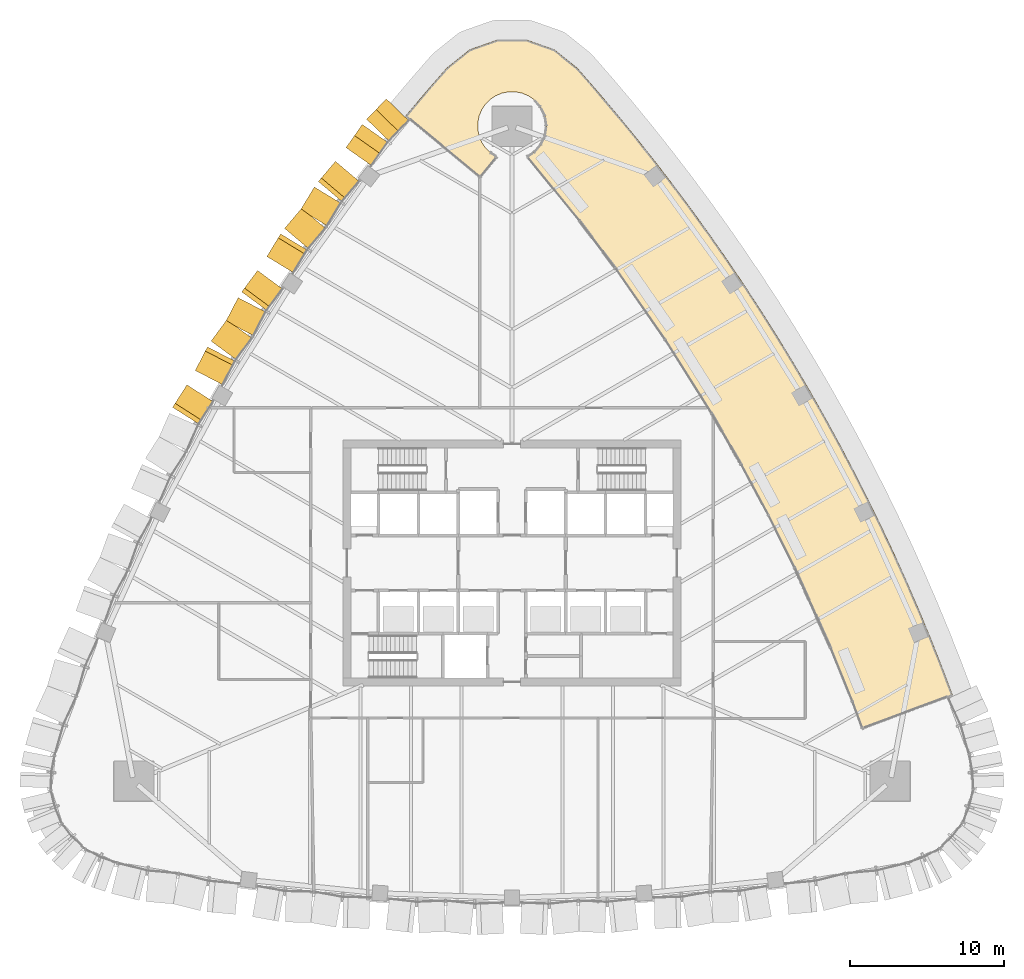
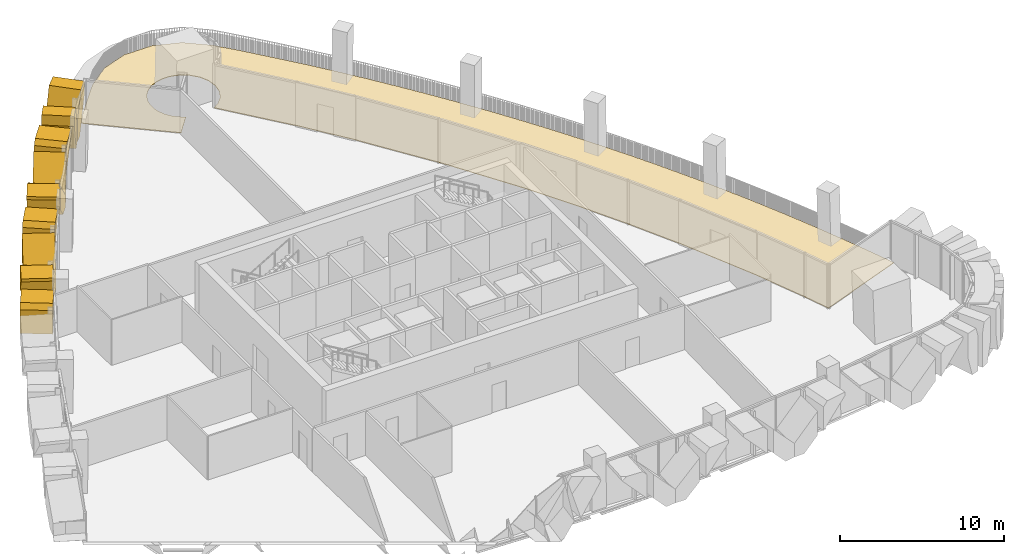
# One storey, part 20 of 22: 12 coverings.
"""IFC4 building model written with IfcOpenShell, lengths in metres."""

from ifc_helpers import new_model, si_unit, direction, frame, origin, place, context, subcontext, project, spatial, polyline, outline, extrude, material, layer, layer_set, type_object, element, save


model = new_model("IFC4")

# Units and contexts
model_context = context("Model", 3, precision=1e-05, world=origin(), true_north=direction((0.0, 1.0)))
body_context = subcontext(model_context, "Body", "Model", "MODEL_VIEW")
ifc_project = project(units=[si_unit("LENGTHUNIT", "METRE"), si_unit("AREAUNIT", "SQUARE_METRE"), si_unit("VOLUMEUNIT", "CUBIC_METRE"), si_unit("PLANEANGLEUNIT", "RADIAN"), si_unit("MASSUNIT", "GRAM", prefix="KILO")], contexts=[model_context])

# Site, building, storey
site_placement = place(None, origin())
site = spatial("IfcSite", under=ifc_project, at=site_placement, CompositionType="ELEMENT")
building_placement = place(site_placement, origin())
building = spatial("IfcBuilding", under=site, at=building_placement, Name="Sierra Prisma Convention Tower", CompositionType="ELEMENT")
storey_placement = place(building_placement, frame((0.0, 0.0, 141.800048828125)))
storey = spatial("IfcBuildingStorey", under=building, at=storey_placement, Name="L30", CompositionType="ELEMENT", Elevation=141.800048828125)

# Coverings
ifc_material_1 = material(Name="Aluminium 6063-T6 bronze anodised", Category="aluminium")
ifc_layer_1 = layer(ifc_material_1, 2.0)
ifc_layer_set_1 = layer_set([ifc_layer_1], Name="Bronze crystal chevron frame")
covering_type_1 = type_object("IfcCoveringType", Name="Bronze crystal chevron frame", PredefinedType="CLADDING", material=ifc_layer_set_1)
covering_1_placement = place(storey_placement, frame((-8.1845703125, 30.223876953125, 3.280029296875), z_axis=(-0.718080242501, 0.69596031877, 5.213964e-06), x_axis=(-3.744044e-06, 3.628712e-06, -0.999999999986)))
element("IfcCovering", 1, at=covering_1_placement, inside=storey, type_object=covering_type_1, Name="CW-2 chevron frame NW1b.1.1", PredefinedType="CLADDING", context=body_context, shape_type="SweptSolid", body=[
    extrude(outline(polyline([(0.0, 0.0), (0.7602539062396662, 0.0), (3.280029297200351, 1.2406949346789349), (3.28002929693376, 1.8444689140047799), (1.7897949219540166, 1.8444689140047799), (2.4537560228528877e-10, 0.9632393462894382), (0.0, 0.0)])), origin(), (0.0, 0.0, -1.0), 2.0),
])
covering_2_placement = place(storey_placement, frame((-9.7509765625, 28.557861328125, 0.0), z_axis=(-0.818061138257, 0.575131265595, 3.7526587e-05), x_axis=(-0.575131266, -0.818061138833, -9.262e-09)))
element("IfcCovering", 2, at=covering_2_placement, inside=storey, type_object=covering_type_1, Name="CW-2 chevron frame NW1b.1.2", PredefinedType="CLADDING", context=body_context, shape_type="SweptSolid", body=[
    extrude(outline(polyline([(0.0, 0.0), (0.6038450867621504, -3.3881317890172014e-21), (1.8445754771254539, 2.5197754096979694), (1.8445754700840065, 3.2800293154126576), (0.8812761051650867, 3.2800293033481003), (-1.3802503356311932e-08, 1.4902343739506927), (0.0, 0.0)])), origin(), (0.0, 0.0, -1.0), 2.0),
])
covering_3_placement = place(storey_placement, frame((-11.497802734375, 26.158447265625, 3.280029296875), z_axis=(-0.763061386419, 0.646326016892, 2.1095039e-05), x_axis=(-1.609681e-05, 1.3634272e-05, -0.999999999777)))
element("IfcCovering", 3, at=covering_3_placement, inside=storey, type_object=covering_type_1, Name="CW-2 chevron frame NW2.1.1", PredefinedType="CLADDING", context=body_context, shape_type="SweptSolid", body=[
    extrude(outline(polyline([(0.0, 0.0), (0.2285156249491552, 0.0), (2.093261718429504, 1.7254900643779991), (0.3264160156976277, 1.7254900643779991), (-8.879371233288814e-10, 1.4237367989569227), (0.0, 0.0)])), origin(), (0.0, 0.0, -1.0), 2.0),
])
covering_4_placement = place(storey_placement, frame((-12.872314453125, 24.48193359375, 2.813232421875), z_axis=(-0.854756361147, 0.519029441039, -4.9129668e-05), x_axis=(4.1993897e-05, -2.5499744e-05, -0.999999998793)))
element("IfcCovering", 4, at=covering_4_placement, inside=storey, type_object=covering_type_1, Name="CW-2 chevron frame NW2.1.2", PredefinedType="CLADDING", context=body_context, shape_type="SweptSolid", body=[
    extrude(outline(polyline([(0.0, 0.0), (1.7670898416173662, 5.987133273658814e-21), (2.813232427558979, 0.9678742365547917), (2.813232421004916, 1.7254353456905718), (1.8649902346493135, 1.7254353456905718), (0.0, 0.0)])), origin(), (0.0, 0.0, -1.0), 2.0),
])
covering_5_placement = place(storey_placement, frame((-13.695068359375, 23.10791015625, 0.0), z_axis=(-0.76312665938, 0.646248946803, -2.2347956e-05), x_axis=(-0.646248946964, -0.763126659571, -1.79e-09)))
element("IfcCovering", 5, at=covering_5_placement, inside=storey, type_object=covering_type_1, Name="CW-2 chevron frame NW2.2.1", PredefinedType="CLADDING", context=body_context, shape_type="SweptSolid", body=[
    extrude(outline(polyline([(0.0, 0.0), (0.7575227218083096, 0.0), (1.7256763632290628, 1.0461425814755536), (1.7256763600656086, 2.8132324247842835), (-1.6975484815345636e-09, 0.9482421872632091), (0.0, 0.0)])), origin(), (0.0, 0.0, -1.0), 2.0),
])
covering_6_placement = place(storey_placement, frame((-15.965087890625, 19.95654296875, 3.280029296875), z_axis=(-0.854764638741, 0.519015806125, 7.3141287e-05), x_axis=(0.519015807514, 0.854764641027, 7.498e-09)))
element("IfcCovering", 6, at=covering_6_placement, inside=storey, type_object=covering_type_1, Name="CW-2 chevron frame NW2.2.2", PredefinedType="CLADDING", context=body_context, shape_type="SweptSolid", body=[
    extrude(outline(polyline([(0.0, 0.0), (1.4236347217346488, -6.776263578034403e-21), (1.7254353438434082, 0.32641602943550135), (1.7254353305955155, 2.0932617278345007), (-1.7134209730623891e-09, 0.22851562438876097), (0.0, 0.0)])), origin(), (0.0, 0.0, -1.0), 2.0),
])
covering_7_placement = place(storey_placement, frame((-16.57275390625, 19.04931640625, 3.280029296875), z_axis=(-0.804673377972, 0.593717739993, -1.52148e-07), x_axis=(1.22429e-07, -9.0333e-08, -1.0)))
element("IfcCovering", 7, at=covering_7_placement, inside=storey, type_object=covering_type_1, Name="CW-2 chevron frame NW3.1.1", PredefinedType="CLADDING", context=body_context, shape_type="SweptSolid", body=[
    extrude(outline(polyline([(0.0, 0.0), (0.2260742187499974, 0.0), (2.0915527343749836, 1.7336468929553486), (0.32861328125000383, 1.7336468929553486), (-4.604363942342126e-14, 1.4281199465605576), (0.0, 0.0)])), origin(), (0.0, 0.0, -1.0), 2.0),
])
covering_8_placement = place(storey_placement, frame((-17.83642578125, 17.278076171875, 2.8115234375), z_axis=(-0.887650094338, 0.460518522934, -7.553334e-06), x_axis=(6.704718e-06, -3.47845e-06, -0.999999999971)))
element("IfcCovering", 8, at=covering_8_placement, inside=storey, type_object=covering_type_1, Name="CW-2 chevron frame NW3.1.2", PredefinedType="CLADDING", context=body_context, shape_type="SweptSolid", body=[
    extrude(outline(polyline([(0.0, 0.0), (1.7629394530747098, 0.0), (2.8115234376341776, 0.9744573558361416), (2.811523437479622, 1.7335825475602855), (1.8654785156316094, 1.7335825475602855), (0.0, 0.0)])), origin(), (0.0, 0.0, -1.0), 2.0),
])
covering_9_placement = place(storey_placement, frame((-18.569091796875, 15.8447265625, 0.0), z_axis=(-0.804674907154, 0.593715667453, -4.210649e-06), x_axis=(-0.593715667458, -0.804674907161, -6.3e-11)))
element("IfcCovering", 9, at=covering_9_placement, inside=storey, type_object=covering_type_1, Name="CW-2 chevron frame NW3.2.1", PredefinedType="CLADDING", context=body_context, shape_type="SweptSolid", body=[
    extrude(outline(polyline([(0.0, 0.0), (0.7591054052355504, 2.117582368135751e-22), (1.7336468928833817, 1.0485839844939846), (1.7336468927718394, 2.8115234376033564), (-5.985690182404617e-11, 0.9460449218666135), (0.0, 0.0)])), origin(), (0.0, 0.0, -1.0), 2.0),
])
covering_10_placement = place(storey_placement, frame((-20.631103515625, 12.53466796875, 3.280029296875), z_axis=(-0.887622661223, 0.460571396493, -3.834695e-06), x_axis=(0.460571396497, 0.88762266123, 2e-11)))
element("IfcCovering", 10, at=covering_10_placement, inside=storey, type_object=covering_type_1, Name="CW-2 chevron frame NW3.2.2", PredefinedType="CLADDING", context=body_context, shape_type="SweptSolid", body=[
    extrude(outline(polyline([(0.0, 0.0), (1.4280557127120175, 4.235164736271502e-22), (1.733365839254953, 0.3286132812879174), (1.733365839218846, 2.0915527343999556), (-4.630258607250566e-12, 0.2260742187483378), (0.0, 0.0)])), origin(), (0.0, 0.0, -1.0), 2.0),
])
covering_11_placement = place(storey_placement, frame((-21.1708984375, 11.599853515625, 3.280029296875), z_axis=(-0.842658054282, 0.5384490706, -4.3869154e-05), x_axis=(3.6966696e-05, -2.3621305e-05, -0.999999999038)))
element("IfcCovering", 11, at=covering_11_placement, inside=storey, type_object=covering_type_1, Name="CW-2 chevron frame NW4.1.1", PredefinedType="CLADDING", context=body_context, shape_type="SweptSolid", body=[
    extrude(outline(polyline([(0.0, 0.0), (0.2260742185324598, 0.0), (2.091552732994818, 1.7334262554936877), (0.32861328156620856, 1.7334262554936877), (-3.827862168310028e-09, 1.4281191717705826), (0.0, 0.0)])), origin(), (0.0, 0.0, -1.0), 2.0),
])
ifc_material_2 = material(Name="Porcelain stoneware paving", Category="masonry")
ifc_layer_2 = layer(ifc_material_2, 0.0400390625)
ifc_layer_set_2 = layer_set([ifc_layer_2], Name="Terrace paving")
covering_type_2 = type_object("IfcCoveringType", Name="Terrace paving", PredefinedType="FLOORING", material=ifc_layer_set_2)
covering_12_placement = place(storey_placement, origin())
element("IfcCovering", 12, at=covering_12_placement, inside=storey, type_object=covering_type_2, Name="Terrace paving L30", PredefinedType="FLOORING", context=body_context, shape_type="SweptSolid", body=[
    extrude(outline(polyline([(28.68505859375, -8.581298828125), (28.009521484375, -6.79248046875), (27.275146484375, -4.935791015625), (26.512451171875, -3.090576171875), (25.720947265625, -1.25732421875), (24.9013671875, 0.563232421875), (24.0537109375, 2.37109375), (23.17822265625, 4.16552734375), (22.27490234375, 5.9462890625), (21.34423828125, 7.712646484375), (20.386474609375, 9.464599609375), (19.4013671875, 11.201416015625), (18.3896484375, 12.9228515625), (17.3515625, 14.62841796875), (16.287109375, 16.317626953125), (15.196533203125, 17.990234375), (14.080322265625, 19.6455078125), (12.9384765625, 21.28369140625), (11.771728515625, 22.90380859375), (10.579833984375, 24.505615234375), (9.36328125, 26.0888671875), (8.122314453125, 27.653076171875), (6.857421875, 29.197998046875), (5.568603515625, 30.72314453125), (4.25634765625, 32.22802734375), (2.763671875, 33.42724609375), (0.95751953125, 34.06298828125), (-0.95751953125, 34.06298828125), (-2.763671875, 33.42724609375), (-4.25634765625, 32.22802734375), (-5.568603515625, 30.72314453125), (-6.857421875, 29.197998046875), (-6.910888671875, 29.132568359375), (-2.08447265625, 25.140869140625), (-0.992919921875, 26.45458984375), (-1.420166015625, 26.72802734375), (-1.73046875, 27.038330078125), (-1.97412109375, 27.403076171875), (-2.14208984375, 27.80859375), (-2.227783203125, 28.239013671875), (-2.227783203125, 28.677734375), (-2.14208984375, 29.108154296875), (-1.97412109375, 29.513671875), (-1.73046875, 29.87841796875), (-1.420166015625, 30.188720703125), (-1.05517578125, 30.4326171875), (-0.64990234375, 30.600341796875), (-0.219482421875, 30.68603515625), (0.219482421875, 30.68603515625), (0.64990234375, 30.600341796875), (1.05517578125, 30.4326171875), (1.420166015625, 30.188720703125), (1.861328125, 29.701904296875), (2.14208984375, 29.108154296875), (2.238525390625, 28.458251953125), (2.14208984375, 27.80859375), (1.861328125, 27.21484375), (1.420166015625, 26.72802734375), (0.992919921875, 26.45458984375), (4.436767578125, 22.242431640625), (6.728515625, 19.211669921875), (9.987548828125, 14.5361328125), (13.02587890625, 9.71435546875), (14.92578125, 6.423583984375), (16.722900390625, 3.07568359375), (18.41552734375, -0.326171875), (20.755126953125, -5.523193359375), (22.1796875, -9.045654296875), (22.81494140625, -10.765380859375), (28.68505859375, -8.581298828125)])), origin(), (0.0, 0.0, 1.0), 0.0400390625),
])

save(model, "model.ifc")
